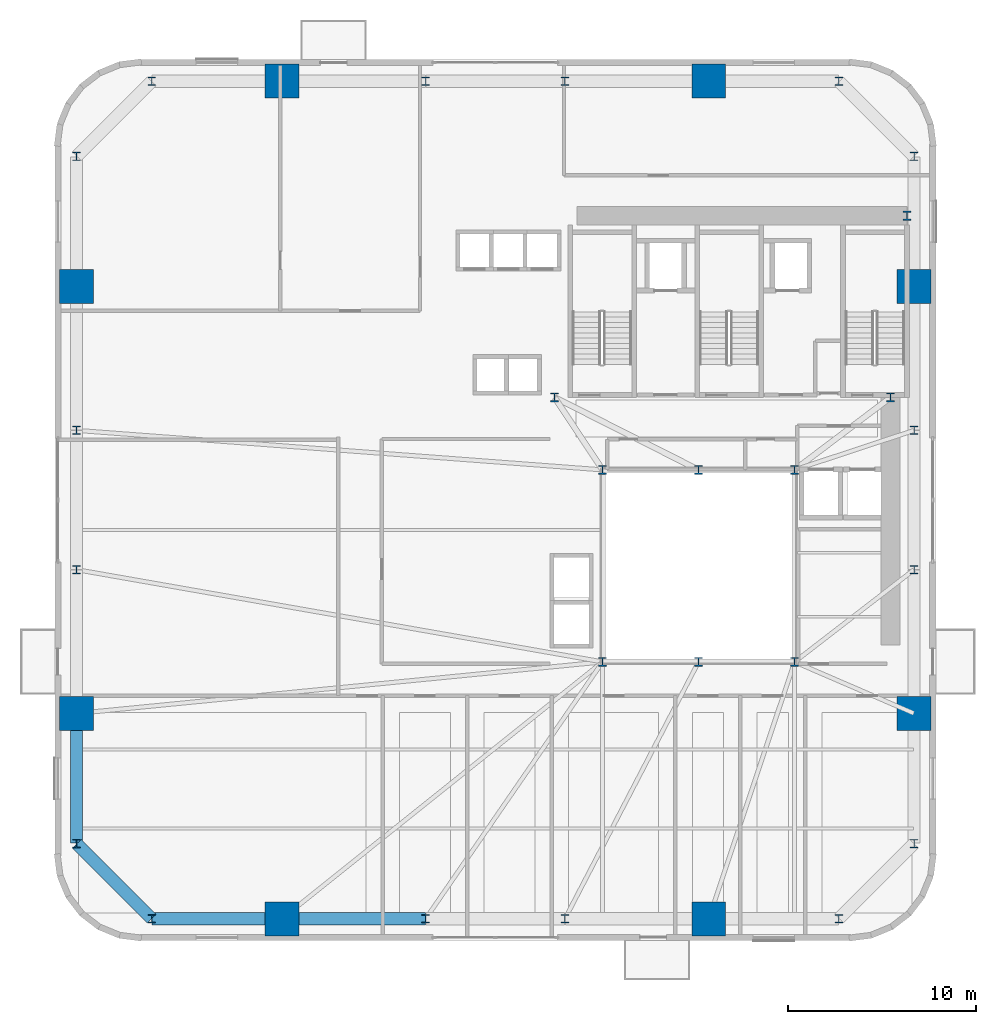
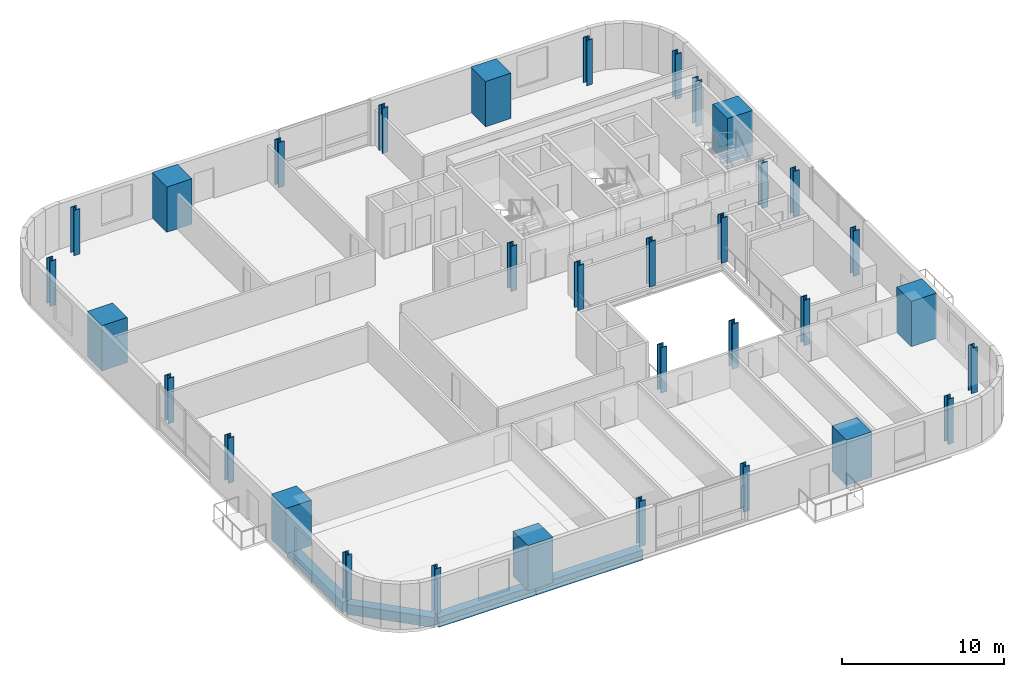
# One storey, part 1 of 13: 33 columns, 4 beams.
"""IFC4 building model written with IfcOpenShell, lengths in metres."""

from ifc_helpers import new_model, si_unit, direction, frame, origin, origin_2d, place, context, subcontext, project, spatial, rectangle, i_section, extrude, source, transform, mapped, material, material_profile, profile_set, type_object, element, save


model = new_model("IFC4")

# Units and contexts
model_context = context("Model", 3, precision=1e-05, world=origin(), true_north=direction((0.0, 1.0)))
body_context = subcontext(model_context, "Body", "Model", "MODEL_VIEW")
ifc_project = project(units=[si_unit("LENGTHUNIT", "METRE"), si_unit("AREAUNIT", "SQUARE_METRE"), si_unit("VOLUMEUNIT", "CUBIC_METRE"), si_unit("PLANEANGLEUNIT", "RADIAN"), si_unit("MASSUNIT", "GRAM", prefix="KILO")], contexts=[model_context])

# Site, building, storey
site_placement = place(None, origin())
site = spatial("IfcSite", under=ifc_project, at=site_placement, CompositionType="ELEMENT")
building_placement = place(site_placement, origin())
building = spatial("IfcBuilding", under=site, at=building_placement, Name="Vardaveli Station Tower", CompositionType="ELEMENT")
storey_placement = place(building_placement, frame((0.0, 0.0, 82.35009765625)))
storey = spatial("IfcBuildingStorey", under=building, at=storey_placement, Name="L21", CompositionType="ELEMENT", Elevation=82.35009765625)

# Columns
ifc_material_1 = material(Name="Structural steel S460M", Category="steel")
ifc_material_profile_1 = material_profile(ifc_material_1, i_section(OverallWidth=0.427978515625, OverallDepth=0.48095703125, WebThickness=0.03955078125, FlangeThickness=0.0634765625, FilletRadius=0.014892578125, at=origin_2d()), Name="HD 400x677")
ifc_profile_set_1 = profile_set([ifc_material_profile_1], Name="Structural steel S460M")
column_type_1 = type_object("IfcColumnType", Name="COL-HD677", PredefinedType="COLUMN", material=ifc_profile_set_1)
shared_shape_1 = source(origin(), body_context, "Body", "SweptSolid", [
    extrude(i_section(OverallWidth=0.427978515625, OverallDepth=0.48095703125, WebThickness=0.03955078125, FlangeThickness=0.0634765625, FilletRadius=0.014892578125, at=origin_2d()), origin(), (0.0, 0.0, 1.0), 3.409912109375),
])
for number, where, z_axis, x_axis, name in (
    (1, (31.199951171875, 16.60009765625, 0.0), (0.0, 0.0, 1.0), (1.0, 0.0, 0.0), "COL-L21-AC1"),
    (2, (36.300048828125, 16.60009765625, 0.0), (0.0, 0.0, 1.0), (1.0, 0.0, 0.0), "COL-L21-AC2"),
    (3, (41.39990234375, 16.60009765625, 0.0), (0.0, 0.0, 1.0), (1.0, 0.0, 0.0), "COL-L21-AC3"),
    (4, (41.39990234375, 26.800048828125, 0.0), (0.0, 0.0, 1.0), (1.0, 0.0, 0.0), "COL-L21-AC4"),
    (5, (36.300048828125, 26.800048828125, 0.0), (0.0, 0.0, 1.0), (1.0, 0.0, 0.0), "COL-L21-AC5"),
    (6, (31.199951171875, 26.800048828125, 0.0), (0.0, 0.0, 1.0), (1.0, 0.0, 0.0), "COL-L21-AC6"),
    (7, (28.64990234375, 30.64990234375, 0.0), (0.0, 0.0, 1.0), (1.0, 0.0, 0.0), "COL-L21-CC1"),
    (8, (46.5, 30.64990234375, 0.0), (0.0, 0.0, 1.0), (1.0, 0.0, 0.0), "COL-L21-CC2"),
    (9, (47.3701171875, 40.300048828125, 0.0), (0.0, 0.0, 1.0), (1.0, 0.0, 0.0), "COL-L21-CC3"),
):
    element("IfcColumn", number, at=place(storey_placement, frame(where, z_axis=z_axis, x_axis=x_axis)), inside=storey, type_object=column_type_1, Name=name, PredefinedType="COLUMN", context=body_context, shape_type="MappedRepresentation", body=[
        mapped(shared_shape_1, transform((0.0, 0.0, 0.0), scale=1.0)),
    ])
ifc_material_2 = material(Name="Concrete C70/85", Category="concrete")
ifc_material_profile_2 = material_profile(ifc_material_2, rectangle(XDim=1.800048828125, YDim=1.800048828125, at=origin_2d()), Name="MC 1800x1800")
ifc_profile_set_2 = profile_set([ifc_material_profile_2], Name="Concrete C70/85")
column_type_2 = type_object("IfcColumnType", Name="COL-MC-1800", PredefinedType="COLUMN", material=ifc_profile_set_2)
shared_shape_2 = source(origin(), body_context, "Body", "SweptSolid", [
    extrude(rectangle(XDim=1.800048828125, YDim=1.800048828125, at=origin_2d()), origin(), (0.0, 0.0, 1.0), 3.409912109375),
])
for number, where, z_axis, x_axis, name in (
    (10, (14.159912109375, 2.949951171875, 0.0), (0.0, 0.0, 1.0), (1.0, 0.0, 0.0), "COL-L21-MC1"),
    (11, (36.840087890625, 2.949951171875, 0.0), (0.0, 0.0, 1.0), (1.0, 0.0, 0.0), "COL-L21-MC2"),
    (12, (47.75, 13.860107421875, 0.0), (0.0, 0.0, 1.0), (1.0, 0.0, 0.0), "COL-L21-MC3"),
    (13, (47.75, 36.5400390625, 0.0), (0.0, 0.0, 1.0), (1.0, 0.0, 0.0), "COL-L21-MC4"),
    (14, (36.840087890625, 47.449951171875, 0.0), (0.0, 0.0, 1.0), (1.0, 0.0, 0.0), "COL-L21-MC5"),
    (15, (14.159912109375, 47.449951171875, 0.0), (0.0, 0.0, 1.0), (1.0, 0.0, 0.0), "COL-L21-MC6"),
    (16, (3.25, 36.5400390625, 0.0), (0.0, 0.0, 1.0), (1.0, 0.0, 0.0), "COL-L21-MC7"),
    (17, (3.25, 13.860107421875, 0.0), (0.0, 0.0, 1.0), (1.0, 0.0, 0.0), "COL-L21-MC8"),
):
    element("IfcColumn", number, at=place(storey_placement, frame(where, z_axis=z_axis, x_axis=x_axis)), inside=storey, type_object=column_type_2, Name=name, PredefinedType="COLUMN", context=body_context, shape_type="MappedRepresentation", body=[
        mapped(shared_shape_2, transform((0.0, 0.0, 0.0), scale=1.0)),
    ])
ifc_material_profile_3 = material_profile(ifc_material_1, i_section(OverallWidth=0.4189453125, OverallDepth=0.448974609375, WebThickness=0.030517578125, FlangeThickness=0.04833984375, FilletRadius=0.014892578125, at=origin_2d()), Name="HD 400x509")
ifc_profile_set_3 = profile_set([ifc_material_profile_3], Name="Structural steel S460M")
column_type_3 = type_object("IfcColumnType", Name="COL-HD509", PredefinedType="COLUMN", material=ifc_profile_set_3)
shared_shape_3 = source(origin(), body_context, "Body", "SweptSolid", [
    extrude(i_section(OverallWidth=0.4189453125, OverallDepth=0.448974609375, WebThickness=0.030517578125, FlangeThickness=0.04833984375, FilletRadius=0.014892578125, at=origin_2d()), origin(), (0.0, 0.0, 1.0), 3.409912109375),
])
for number, where, z_axis, x_axis, name in (
    (18, (7.25, 2.949951171875, 0.0), (0.0, 0.0, 1.0), (1.0, 0.0, 0.0), "COL-L21-PC01"),
    (19, (21.800048828125, 2.949951171875, 0.0), (0.0, 0.0, 1.0), (1.0, 0.0, 0.0), "COL-L21-PC02"),
    (20, (29.199951171875, 2.949951171875, 0.0), (0.0, 0.0, 1.0), (1.0, 0.0, 0.0), "COL-L21-PC03"),
    (21, (43.75, 2.949951171875, 0.0), (0.0, 0.0, 1.0), (1.0, 0.0, 0.0), "COL-L21-PC04"),
    (22, (47.75, 6.949951171875, 0.0), (0.0, 0.0, 1.0), (1.0, 0.0, 0.0), "COL-L21-PC05"),
    (23, (47.75, 21.5, 0.0), (0.0, 0.0, 1.0), (1.0, 0.0, 0.0), "COL-L21-PC06"),
    (24, (47.75, 28.89990234375, 0.0), (0.0, 0.0, 1.0), (1.0, 0.0, 0.0), "COL-L21-PC07"),
    (25, (47.75, 43.449951171875, 0.0), (0.0, 0.0, 1.0), (1.0, 0.0, 0.0), "COL-L21-PC08"),
    (26, (43.75, 47.449951171875, 0.0), (0.0, 0.0, 1.0), (1.0, 0.0, 0.0), "COL-L21-PC09"),
    (27, (29.199951171875, 47.449951171875, 0.0), (0.0, 0.0, 1.0), (1.0, 0.0, 0.0), "COL-L21-PC10"),
    (28, (21.800048828125, 47.449951171875, 0.0), (0.0, 0.0, 1.0), (1.0, 0.0, 0.0), "COL-L21-PC11"),
    (29, (7.25, 47.449951171875, 0.0), (0.0, 0.0, 1.0), (1.0, 0.0, 0.0), "COL-L21-PC12"),
    (30, (3.25, 43.449951171875, 0.0), (0.0, 0.0, 1.0), (1.0, 0.0, 0.0), "COL-L21-PC13"),
    (31, (3.25, 28.89990234375, 0.0), (0.0, 0.0, 1.0), (1.0, 0.0, 0.0), "COL-L21-PC14"),
    (32, (3.25, 21.5, 0.0), (0.0, 0.0, 1.0), (1.0, 0.0, 0.0), "COL-L21-PC15"),
    (33, (3.25, 6.949951171875, 0.0), (0.0, 0.0, 1.0), (1.0, 0.0, 0.0), "COL-L21-PC16"),
):
    element("IfcColumn", number, at=place(storey_placement, frame(where, z_axis=z_axis, x_axis=x_axis)), inside=storey, type_object=column_type_3, Name=name, PredefinedType="COLUMN", context=body_context, shape_type="MappedRepresentation", body=[
        mapped(shared_shape_3, transform((0.0, 0.0, 0.0), scale=1.0)),
    ])

# Beams
ifc_material_3 = material(Name="Precast concrete C45/55", Category="concrete")
ifc_material_profile_4 = material_profile(ifc_material_3, rectangle(XDim=0.64990234375, YDim=0.75, at=origin_2d()), Name="LPB 650x750")
ifc_profile_set_4 = profile_set([ifc_material_profile_4], Name="Precast concrete C45/55")
beam_type = type_object("IfcBeamType", Name="BM-LPB-750", PredefinedType="BEAM", material=ifc_profile_set_4)
shared_shape_4 = source(origin(), body_context, "Body", "SweptSolid", [
    extrude(rectangle(XDim=0.64990234375, YDim=0.75, at=origin_2d()), origin(), (0.0, 0.0, 1.0), 7.60009765625),
])
beam_1_placement = place(storey_placement, frame((14.179931640625, 2.949951171875, -0.614990234375), z_axis=(1.0, 0.0, 0.0), x_axis=(0.0, 1.0, 0.0)))
element("IfcBeam", 34, at=beam_1_placement, inside=storey, type_object=beam_type, Name="RBM-L21-01", PredefinedType="BEAM", context=body_context, shape_type="MappedRepresentation", body=[
    mapped(shared_shape_4, transform((0.0, 0.0, 0.0), scale=1.0)),
])
shared_shape_5 = source(origin(), body_context, "Body", "SweptSolid", [
    extrude(rectangle(XDim=0.64990234375, YDim=0.75, at=origin_2d()), origin(), (0.0, 0.0, 1.0), 6.869873046875),
])
beam_2_placement = place(storey_placement, frame((7.27001953125, 2.949951171875, -0.614990234375), z_axis=(1.0, 0.0, 0.0), x_axis=(0.0, 1.0, 0.0)))
element("IfcBeam", 35, at=beam_2_placement, inside=storey, type_object=beam_type, Name="RBM-L21-24", PredefinedType="BEAM", context=body_context, shape_type="MappedRepresentation", body=[
    mapped(shared_shape_5, transform((0.0, 0.0, 0.0), scale=1.0)),
])
shared_shape_6 = source(origin(), body_context, "Body", "SweptSolid", [
    extrude(rectangle(XDim=0.64990234375, YDim=0.75, at=origin_2d()), origin(), (0.0, 0.0, 1.0), 5.61669921875),
])
beam_3_placement = place(storey_placement, frame((3.26416015625, 6.935791015625, -0.614990234375), z_axis=(0.707106781187, -0.707106781187, 0.0), x_axis=(0.707106781187, 0.707106781187, 0.0)))
element("IfcBeam", 36, at=beam_3_placement, inside=storey, type_object=beam_type, Name="RBM-L21-23", PredefinedType="BEAM", context=body_context, shape_type="MappedRepresentation", body=[
    mapped(shared_shape_6, transform((0.0, 0.0, 0.0), scale=1.0)),
])
shared_shape_7 = source(origin(), body_context, "Body", "SweptSolid", [
    extrude(rectangle(XDim=0.64990234375, YDim=0.75, at=origin_2d()), origin(), (0.0, 0.0, 1.0), 6.8701171875),
])
beam_4_placement = place(storey_placement, frame((3.25, 13.840087890625, -0.614990234375), z_axis=(0.0, -1.0, 0.0), x_axis=(1.0, 0.0, 0.0)))
element("IfcBeam", 37, at=beam_4_placement, inside=storey, type_object=beam_type, Name="RBM-L21-22", PredefinedType="BEAM", context=body_context, shape_type="MappedRepresentation", body=[
    mapped(shared_shape_7, transform((0.0, 0.0, 0.0), scale=1.0)),
])

save(model, "model.ifc")
